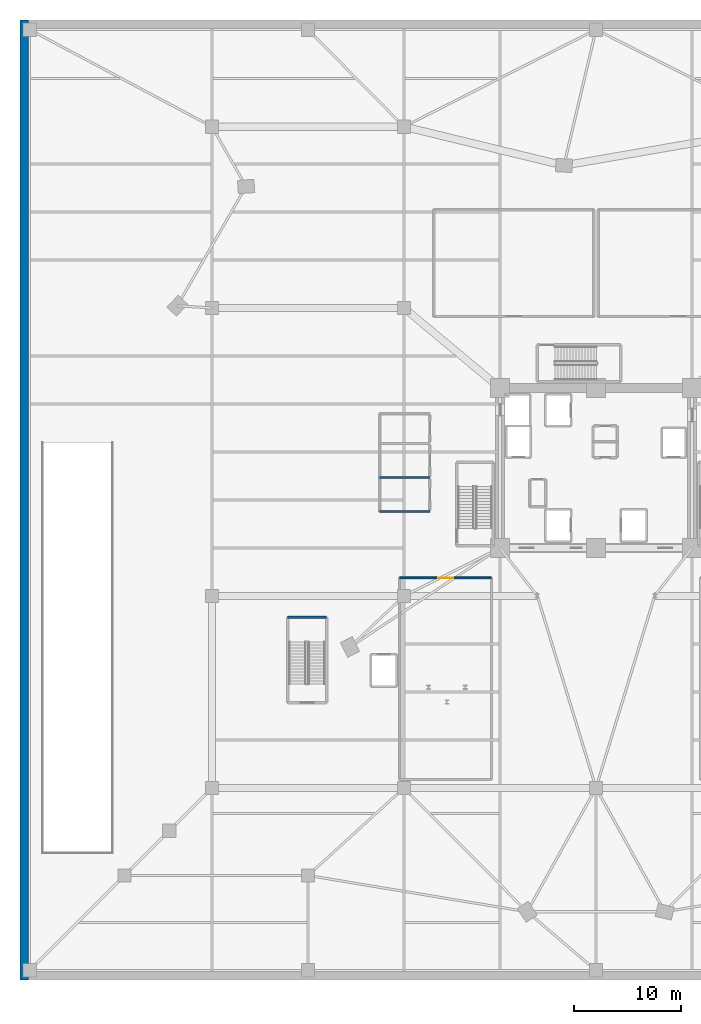
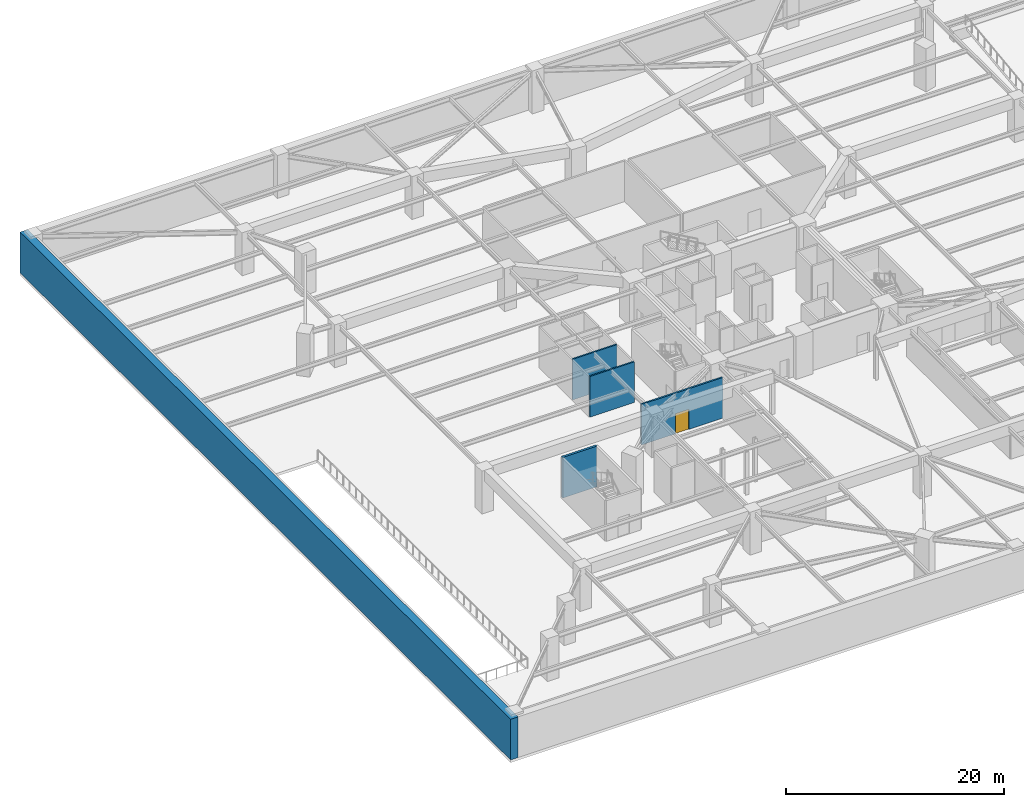
# One storey, part 11 of 20: 5 walls, 1 door, 1 opening.
"""IFC4 building model written with IfcOpenShell, lengths in metres."""

import ifcopenshell
import ifcopenshell.guid

model = None  # the IFC model being written
_history = None  # IfcOwnerHistory: only IFC2X3 demands one
_inside = {}  # id of a spatial element -> (the spatial element, [elements in it])
_under = {}  # id of a project, library or spatial element -> (it, [spatial elements below it])
_declared = {}  # id of a project -> (the project, [libraries it declares])
_typed = {}  # id of a type object -> (the type object, [elements of that type])
_made_of = {}  # id of a material, layer set ... -> (it, [elements and type objects made of it])


def new_model(schema):
    """Start an empty IFC model of exactly this schema.

    Asked for "IFC4X3", IfcOpenShell would pick the latest addendum, in which some entities
    have other attributes; the version numbers below select the first issue.
    IFC2X3 requires an IfcOwnerHistory on every rooted entity: one is made here for all.
    """
    global model, _history
    if schema == "IFC4X3":
        model = ifcopenshell.file(schema_version=(4, 3, 0, 0))
    else:
        model = ifcopenshell.file(schema=schema)
    _inside.clear()
    _under.clear()
    _declared.clear()
    _typed.clear()
    _made_of.clear()
    _history = None
    if model.schema == "IFC2X3":
        org = make("IfcOrganization", Name="unknown")
        user = make(
            "IfcPersonAndOrganization",
            ThePerson=make("IfcPerson", FamilyName="unknown"),
            TheOrganization=org,
        )
        app = make(
            "IfcApplication",
            ApplicationDeveloper=org,
            Version="unknown",
            ApplicationFullName="unknown",
            ApplicationIdentifier="unknown",
        )
        _history = make(
            "IfcOwnerHistory",
            OwningUser=user,
            OwningApplication=app,
            ChangeAction="ADDED",
            CreationDate=0,
        )
    return model


def make(cls, **values):
    """One entity of the class cls with the attributes given. An attribute that is None is left unset."""
    return model.create_entity(
        cls, **{name: value for name, value in values.items() if value is not None}
    )


def rooted(cls, **values):
    """An entity with a GlobalId (a new one), such as an element, a storey or a relation."""
    return make(cls, GlobalId=ifcopenshell.guid.new(), OwnerHistory=_history, **values)


def si_unit(unit_type, name, prefix=None):
    """IfcSIUnit, for example si_unit("LENGTHUNIT", "METRE", prefix="MILLI")."""
    return make("IfcSIUnit", UnitType=unit_type, Prefix=prefix, Name=name)


def assignment(units):
    """IfcUnitAssignment: the units of a project."""
    return None if units is None else make("IfcUnitAssignment", Units=units)


def point(xyz):
    """IfcCartesianPoint."""
    return None if xyz is None else make("IfcCartesianPoint", Coordinates=xyz)


def direction(xyz):
    """IfcDirection."""
    return None if xyz is None else make("IfcDirection", DirectionRatios=xyz)


def frame(location, z_axis=None, x_axis=None):
    """IfcAxis2Placement3D, a coordinate frame: its origin and axes. An axis left out is left unset."""
    return make(
        "IfcAxis2Placement3D",
        Location=point(location),
        Axis=direction(z_axis),
        RefDirection=direction(x_axis),
    )


def frame_2d(location, x_axis=None):
    """IfcAxis2Placement2D, a coordinate frame in the plane: its origin and x axis."""
    return make(
        "IfcAxis2Placement2D", Location=point(location), RefDirection=direction(x_axis)
    )


def origin():
    """The frame at (0, 0, 0) with its axes left unset."""
    return frame((0.0, 0.0, 0.0))


def place(relative_to, where):
    """IfcLocalPlacement: puts the frame where relative to a parent placement (None: the world)."""
    return make(
        "IfcLocalPlacement", PlacementRelTo=relative_to, RelativePlacement=where
    )


def context(
    kind, dimensions, precision=None, world=None, true_north=None, identifier=None
):
    """IfcGeometricRepresentationContext, for example the 3D "Model" context."""
    return make(
        "IfcGeometricRepresentationContext",
        ContextIdentifier=identifier,
        ContextType=kind,
        CoordinateSpaceDimension=dimensions,
        Precision=precision,
        WorldCoordinateSystem=world,
        TrueNorth=true_north,
    )


def subcontext(parent, identifier, kind, view, scale=None):
    """IfcGeometricRepresentationSubContext, for example "Body" below "Model"."""
    return make(
        "IfcGeometricRepresentationSubContext",
        ContextIdentifier=identifier,
        ContextType=kind,
        ParentContext=parent,
        TargetScale=scale,
        TargetView=view,
    )


def project(units=None, contexts=None):
    """IfcProject with its units and contexts."""
    return rooted(
        "IfcProject",
        Name="project",
        RepresentationContexts=contexts,
        UnitsInContext=assignment(units),
    )


def spatial(cls, under=None, at=None, **own):
    """A site, building, storey or space (cls), placed at a placement, below another one or the project."""
    s = rooted(cls, ObjectPlacement=at, **own)
    if under is not None:
        _under.setdefault(under.id(), (under, []))[1].append(s)
    return s


def profile(cls, at=None, kind="AREA", **sizes):
    """A parametric profile (cls). Its sizes go by their IFC names, for example OverallWidth=200.0."""
    return make(cls, ProfileType=kind, Position=at, **sizes)


def rectangle(**sizes):
    """IfcRectangleProfileDef."""
    return profile("IfcRectangleProfileDef", **sizes)


def extrude(swept, where, along, depth):
    """IfcExtrudedAreaSolid: the profile swept, set in the frame where, extruded along a direction by depth."""
    return make(
        "IfcExtrudedAreaSolid",
        SweptArea=swept,
        Position=where,
        ExtrudedDirection=direction(along),
        Depth=depth,
    )


def shape(context_of_items, identifier, shape_type, items):
    """IfcShapeRepresentation: the items that make up one representation, for example the "Body"."""
    return make(
        "IfcShapeRepresentation",
        ContextOfItems=context_of_items,
        RepresentationIdentifier=identifier,
        RepresentationType=shape_type,
        Items=items,
    )


def source(mapping_origin, context_of_items, identifier, shape_type, items):
    """IfcRepresentationMap: a shape defined once, which mapped items show again and again."""
    return make(
        "IfcRepresentationMap",
        MappingOrigin=mapping_origin,
        MappedRepresentation=shape(context_of_items, identifier, shape_type, items),
    )


def transform(
    local_origin,
    x_axis=None,
    y_axis=None,
    z_axis=None,
    scale=None,
    scale2=None,
    scale3=None,
    uniform=True,
):
    """IfcCartesianTransformationOperator3D, or its non-uniform kind. x_axis, y_axis, z_axis: its Axis1, 2, 3."""
    if uniform:
        return make(
            "IfcCartesianTransformationOperator3D",
            Axis1=direction(x_axis),
            Axis2=direction(y_axis),
            LocalOrigin=point(local_origin),
            Scale=scale,
            Axis3=direction(z_axis),
        )
    return make(
        "IfcCartesianTransformationOperator3DnonUniform",
        Axis1=direction(x_axis),
        Axis2=direction(y_axis),
        LocalOrigin=point(local_origin),
        Scale=scale,
        Axis3=direction(z_axis),
        Scale2=scale2,
        Scale3=scale3,
    )


def mapped(mapping_source, mapping_target):
    """IfcMappedItem: shows the shape of a source again, moved by a transform."""
    return make(
        "IfcMappedItem", MappingSource=mapping_source, MappingTarget=mapping_target
    )


def material(Name=None, Category=None):
    """IfcMaterial."""
    return make("IfcMaterial", Name=Name, Category=Category)


def layer(
    of_material, thickness, ventilated=None, Name=None, Category=None, Priority=None
):
    """IfcMaterialLayer: one layer of a wall or slab, of a material (None: an air gap)."""
    return make(
        "IfcMaterialLayer",
        Material=of_material,
        LayerThickness=thickness,
        IsVentilated=ventilated,
        Name=Name,
        Category=Category,
        Priority=Priority,
    )


def layer_set(layers, Name=None):
    """IfcMaterialLayerSet."""
    return make("IfcMaterialLayerSet", MaterialLayers=layers, LayerSetName=Name)


def made_of(thing, what):
    """Note that an element or type object is made of a material, layer set ...; save() writes the relation."""
    if what is not None:
        _made_of.setdefault(what.id(), (what, []))[1].append(thing)
    return thing


def type_object(cls, material=None, **own):
    """A type object (cls), such as IfcWallType, which elements share."""
    return made_of(rooted(cls, **own), material)


def element(
    cls,
    number,
    at=None,
    inside=None,
    cuts=None,
    type_object=None,
    material=None,
    context=None,
    identifier="Body",
    shape_type=None,
    held_by="IfcProductDefinitionShape",
    body=None,
    shapes=None,
    **own,
):
    """One element of the class cls, such as IfcWall. Its Tag is "e" and its number.

    at: its placement. inside: the storey or other place that contains it. cuts: it is an
    opening in that element (IfcRelVoidsElement). A single representation is given by context,
    identifier, shape_type and body (its items); several are given by shapes. held_by: the class
    of the entity that holds the representations. save() writes the other relations.
    """
    e = rooted(cls, Tag="e%d" % number, ObjectPlacement=at, **own)
    if body is not None:
        shapes = [shape(context, identifier, shape_type, body)]
    if shapes is not None:
        e.Representation = make(held_by, Representations=shapes)
    if inside is not None:
        _inside.setdefault(inside.id(), (inside, []))[1].append(e)
    if cuts is not None:
        rooted(
            "IfcRelVoidsElement", RelatingBuildingElement=cuts, RelatedOpeningElement=e
        )
    if type_object is not None:
        _typed.setdefault(type_object.id(), (type_object, []))[1].append(e)
    return made_of(e, material)


def fill(opening, filler):
    """IfcRelFillsElement: the door or window that sits in an opening."""
    return rooted(
        "IfcRelFillsElement",
        RelatingOpeningElement=opening,
        RelatedBuildingElement=filler,
    )


def aggregate(whole, parts):
    """IfcRelAggregates: a whole, such as a stair, and the parts it consists of."""
    return rooted("IfcRelAggregates", RelatingObject=whole, RelatedObjects=parts)


def save(model, path):
    """Write the relations noted so far, then the file.

    IfcRelAggregates (storeys below a building ...), IfcRelContainedInSpatialStructure (elements
    in a storey), IfcRelDefinesByType, IfcRelAssociatesMaterial and IfcRelDeclares: one each for
    every whole, place, type object, material and project.
    """
    for whole, parts in _under.values():
        aggregate(whole, parts)
    for where, things in _inside.values():
        rooted(
            "IfcRelContainedInSpatialStructure",
            RelatedElements=things,
            RelatingStructure=where,
        )
    for kind, things in _typed.values():
        rooted("IfcRelDefinesByType", RelatedObjects=things, RelatingType=kind)
    for what, things in _made_of.values():
        rooted("IfcRelAssociatesMaterial", RelatedObjects=things, RelatingMaterial=what)
    for by, libraries in _declared.values():
        rooted("IfcRelDeclares", RelatingContext=by, RelatedDefinitions=libraries)
    model.write(path)


model = new_model("IFC4")

# Units and contexts
model_context = context("Model", 3, precision=1e-05, world=origin(), true_north=direction((0.0, 1.0)))
body_context = subcontext(model_context, "Body", "Model", "MODEL_VIEW")
ifc_project = project(units=[si_unit("LENGTHUNIT", "METRE"), si_unit("AREAUNIT", "SQUARE_METRE"), si_unit("VOLUMEUNIT", "CUBIC_METRE"), si_unit("PLANEANGLEUNIT", "RADIAN"), si_unit("MASSUNIT", "GRAM", prefix="KILO")], contexts=[model_context])

# Site, building, storey
site_placement = place(None, origin())
site = spatial("IfcSite", under=ifc_project, at=site_placement, CompositionType="ELEMENT")
building_placement = place(site_placement, origin())
building = spatial("IfcBuilding", under=site, at=building_placement, Name="Liaohun Quay Tower", CompositionType="ELEMENT")
storey_placement = place(building_placement, frame((0.0, 0.0, -4.800048828125)))
storey = spatial("IfcBuildingStorey", under=building, at=storey_placement, Name="B1", CompositionType="ELEMENT", Elevation=-4.800048828125)

# Wall, opening, door
ifc_material_1 = material(Name="Autoclaved aerated concrete blockwork", Category="masonry")
ifc_layer_1 = layer(ifc_material_1, 0.179931640625, Name="Autoclaved aerated concrete blockwork", Category="masonry")
ifc_layer_set_1 = layer_set([ifc_layer_1], Name="Autoclaved aerated concrete blockwork")
wall_type_1 = type_object("IfcWallType", Name="WAL-PRT-COR", PredefinedType="PARTITIONING", material=ifc_layer_set_1)
wall_1_placement = place(storey_placement, frame((41.60009765625, 43.699951171875, 0.0), z_axis=(0.0, 0.0, 1.0), x_axis=(1.0, 0.0, 0.0)))
wall_1 = element("IfcWall", 1, at=wall_1_placement, inside=storey, type_object=wall_type_1, Name="B1 Interior Partition Wall 007", PredefinedType="PARTITIONING", context=body_context, shape_type="SweptSolid", body=[
    extrude(rectangle(XDim=8.599853515625, YDim=0.179931640625, at=frame_2d((4.2998046875, 0.0))), origin(), (0.0, 0.0, 1.0), 4.550048828125),
])
shared_shape_1 = source(origin(), body_context, "Body", "SweptSolid", [
    extrude(rectangle(XDim=1.39990234375, YDim=2.25, at=frame_2d((0.699951171875, 1.125))), frame((0.0, 0.099853515625, 0.0), z_axis=(0.0, -1.0, 0.0), x_axis=(1.0, 0.0, 0.0)), (0.0, 0.0, 1.0), 0.199951171875),
])
opening_placement = place(wall_1_placement, frame((3.60009765625, 0.0, 0.0)))
opening = element("IfcOpeningElement", 2, at=opening_placement, cuts=wall_1, Name="Opening MD1", PredefinedType="OPENING", context=body_context, shape_type="MappedRepresentation", body=[
    mapped(shared_shape_1, transform((0.0, 0.0, 0.0), x_axis=(1.0, 0.0, 0.0), y_axis=(0.0, 1.0, 0.0), z_axis=(0.0, 0.0, 1.0), scale=1.0)),
])
ifc_material_2 = material(Name="Insulated steel plant room door", Category="steel")
door_type = type_object("IfcDoorType", Name="DOR-MEP-1400", OperationType="DOUBLE_DOOR_SINGLE_SWING", PredefinedType="DOOR", material=ifc_material_2)
shared_shape_2 = source(origin(), body_context, "Body", "SweptSolid", [
    extrude(rectangle(XDim=1.39990234375, YDim=2.25, at=frame_2d((0.699951171875, 1.125))), frame((0.0, 0.02490234375, 0.0), z_axis=(0.0, -1.0, 0.0), x_axis=(1.0, 0.0, 0.0)), (0.0, 0.0, 1.0), 0.050048828125),
])
door_placement = place(opening_placement, origin())
door = element("IfcDoor", 3, at=door_placement, inside=storey, type_object=door_type, Name="B1 Basement District Heating and Chiller Plant Room Door", OperationType="DOUBLE_DOOR_SINGLE_SWING", OverallHeight=2.25, OverallWidth=1.39990234375, PredefinedType="DOOR", context=body_context, shape_type="MappedRepresentation", body=[
    mapped(shared_shape_2, transform((0.0, 0.0, 0.0), x_axis=(1.0, 0.0, 0.0), y_axis=(0.0, 1.0, 0.0), z_axis=(0.0, 0.0, 1.0), scale=1.0)),
])
fill(opening, door)

# Walls
ifc_material_3 = material(Name="Moisture-resistant masonry blockwork", Category="masonry")
ifc_layer_2 = layer(ifc_material_3, 0.159912109375, Name="Moisture-resistant masonry blockwork", Category="masonry")
ifc_layer_set_2 = layer_set([ifc_layer_2], Name="Moisture-resistant masonry blockwork")
wall_type_2 = type_object("IfcWallType", Name="WAL-PRT-WET", PredefinedType="PARTITIONING", material=ifc_layer_set_2)
for number, where, z_axis, x_axis, name in (
    (4, (39.719970703125, 49.919921875, 0.0), (0.0, 0.0, 1.0), (1.0, 0.0, 0.0), "B1 Interior Partition Wall 018"),
    (5, (39.719970703125, 53.10009765625, 0.0), (0.0, 0.0, 1.0), (1.0, 0.0, 0.0), "B1 Interior Partition Wall 019"),
):
    element("IfcWall", number, at=place(storey_placement, frame(where, z_axis=z_axis, x_axis=x_axis)), inside=storey, type_object=wall_type_2, Name=name, PredefinedType="PARTITIONING", context=body_context, shape_type="SweptSolid", body=[
        extrude(rectangle(XDim=4.699951171875, YDim=0.159912109375, at=frame_2d((2.35009765625, 0.0))), origin(), (0.0, 0.0, 1.0), 4.550048828125),
    ])
ifc_material_4 = material(Name="Concrete C50", Category="concrete")
ifc_layer_3 = layer(ifc_material_4, 0.800048828125, Name="Concrete C50", Category="concrete")
ifc_layer_set_3 = layer_set([ifc_layer_3], Name="Concrete C50")
wall_type_3 = type_object("IfcWallType", Name="WAL-RET-B1", PredefinedType="USERDEFINED", material=ifc_layer_set_3)
wall_2_placement = place(storey_placement, frame((6.39990234375, 6.0, 0.0), z_axis=(0.0, 0.0, 1.0), x_axis=(0.0, 1.0, 0.0)))
element("IfcWall", 6, at=wall_2_placement, inside=storey, type_object=wall_type_3, Name="B1 Waterproof Retaining Wall W", ObjectType="RETAINING WALL", PredefinedType="USERDEFINED", context=body_context, shape_type="SweptSolid", body=[
    extrude(rectangle(XDim=90.0, YDim=0.800048828125, at=frame_2d((45.0, 0.0))), origin(), (0.0, 0.0, 1.0), 4.550048828125),
])
ifc_layer_4 = layer(ifc_material_4, 0.239990234375, Name="Concrete C50", Category="concrete")
ifc_layer_set_4 = layer_set([ifc_layer_4], Name="Concrete C50")
wall_type_4 = type_object("IfcWallType", Name="WAL-SHF-200", PredefinedType="SOLIDWALL", material=ifc_layer_set_4)
wall_3_placement = place(storey_placement, frame((34.739990234375, 40.0, 0.0), z_axis=(0.0, 0.0, 1.0), x_axis=(-1.0, 0.0, 0.0)))
element("IfcWall", 7, at=wall_3_placement, inside=storey, type_object=wall_type_4, Name="B1 Stairwell ST-P1 Structural Core Wall N", PredefinedType="SOLIDWALL", context=body_context, shape_type="SweptSolid", body=[
    extrude(rectangle(XDim=3.639892578125, YDim=0.239990234375, at=frame_2d((1.81982421875, 0.0))), origin(), (0.0, 0.0, 1.0), 4.550048828125),
])

save(model, "model.ifc")
